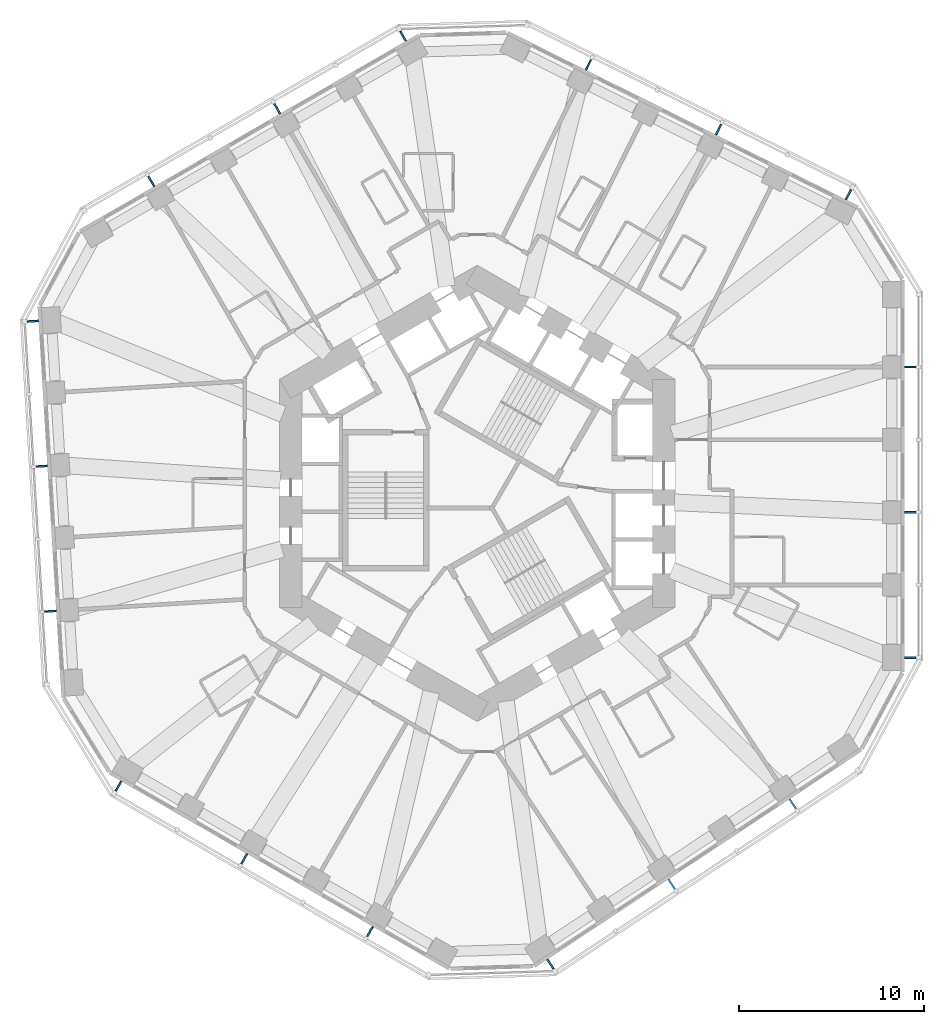
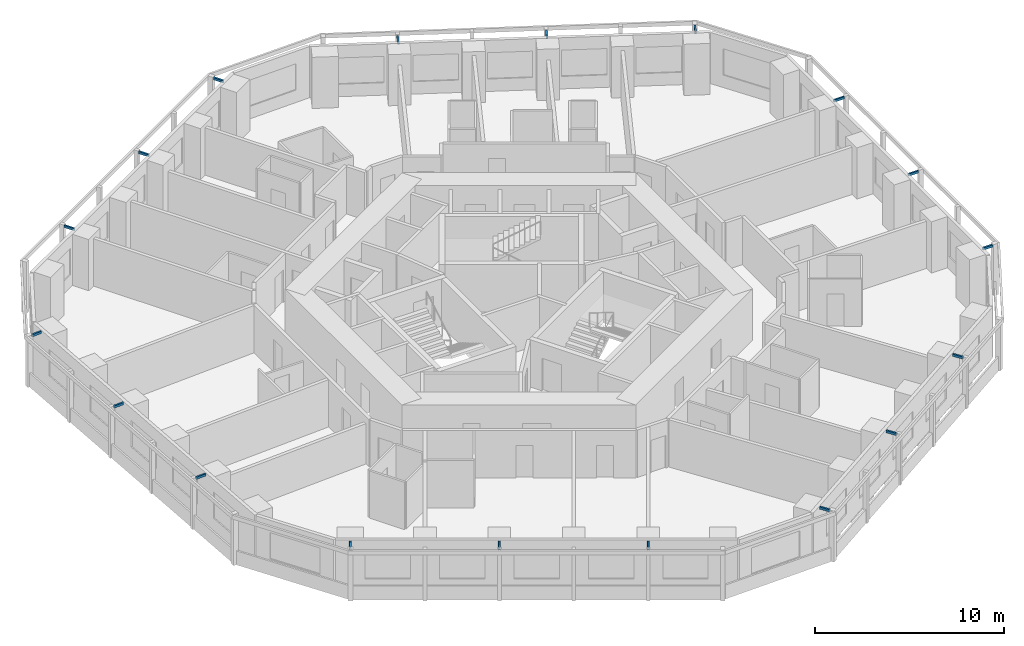
# One storey, part 11 of 12: 18 discrete accessories.
"""IFC4 building model written with IfcOpenShell, lengths in metres."""

import ifcopenshell
import ifcopenshell.guid

model = None  # the IFC model being written
_history = None  # IfcOwnerHistory: only IFC2X3 demands one
_inside = {}  # id of a spatial element -> (the spatial element, [elements in it])
_under = {}  # id of a project, library or spatial element -> (it, [spatial elements below it])
_declared = {}  # id of a project -> (the project, [libraries it declares])
_typed = {}  # id of a type object -> (the type object, [elements of that type])
_made_of = {}  # id of a material, layer set ... -> (it, [elements and type objects made of it])


def new_model(schema):
    """Start an empty IFC model of exactly this schema.

    Asked for "IFC4X3", IfcOpenShell would pick the latest addendum, in which some entities
    have other attributes; the version numbers below select the first issue.
    IFC2X3 requires an IfcOwnerHistory on every rooted entity: one is made here for all.
    """
    global model, _history
    if schema == "IFC4X3":
        model = ifcopenshell.file(schema_version=(4, 3, 0, 0))
    else:
        model = ifcopenshell.file(schema=schema)
    _inside.clear()
    _under.clear()
    _declared.clear()
    _typed.clear()
    _made_of.clear()
    _history = None
    if model.schema == "IFC2X3":
        org = make("IfcOrganization", Name="unknown")
        user = make(
            "IfcPersonAndOrganization",
            ThePerson=make("IfcPerson", FamilyName="unknown"),
            TheOrganization=org,
        )
        app = make(
            "IfcApplication",
            ApplicationDeveloper=org,
            Version="unknown",
            ApplicationFullName="unknown",
            ApplicationIdentifier="unknown",
        )
        _history = make(
            "IfcOwnerHistory",
            OwningUser=user,
            OwningApplication=app,
            ChangeAction="ADDED",
            CreationDate=0,
        )
    return model


def make(cls, **values):
    """One entity of the class cls with the attributes given. An attribute that is None is left unset."""
    return model.create_entity(
        cls, **{name: value for name, value in values.items() if value is not None}
    )


def rooted(cls, **values):
    """An entity with a GlobalId (a new one), such as an element, a storey or a relation."""
    return make(cls, GlobalId=ifcopenshell.guid.new(), OwnerHistory=_history, **values)


def si_unit(unit_type, name, prefix=None):
    """IfcSIUnit, for example si_unit("LENGTHUNIT", "METRE", prefix="MILLI")."""
    return make("IfcSIUnit", UnitType=unit_type, Prefix=prefix, Name=name)


def assignment(units):
    """IfcUnitAssignment: the units of a project."""
    return None if units is None else make("IfcUnitAssignment", Units=units)


def point(xyz):
    """IfcCartesianPoint."""
    return None if xyz is None else make("IfcCartesianPoint", Coordinates=xyz)


def direction(xyz):
    """IfcDirection."""
    return None if xyz is None else make("IfcDirection", DirectionRatios=xyz)


def frame(location, z_axis=None, x_axis=None):
    """IfcAxis2Placement3D, a coordinate frame: its origin and axes. An axis left out is left unset."""
    return make(
        "IfcAxis2Placement3D",
        Location=point(location),
        Axis=direction(z_axis),
        RefDirection=direction(x_axis),
    )


def frame_2d(location, x_axis=None):
    """IfcAxis2Placement2D, a coordinate frame in the plane: its origin and x axis."""
    return make(
        "IfcAxis2Placement2D", Location=point(location), RefDirection=direction(x_axis)
    )


def origin():
    """The frame at (0, 0, 0) with its axes left unset."""
    return frame((0.0, 0.0, 0.0))


def origin_2d():
    """The frame at (0, 0) in the plane with its x axis left unset."""
    return frame_2d((0.0, 0.0))


def place(relative_to, where):
    """IfcLocalPlacement: puts the frame where relative to a parent placement (None: the world)."""
    return make(
        "IfcLocalPlacement", PlacementRelTo=relative_to, RelativePlacement=where
    )


def context(
    kind, dimensions, precision=None, world=None, true_north=None, identifier=None
):
    """IfcGeometricRepresentationContext, for example the 3D "Model" context."""
    return make(
        "IfcGeometricRepresentationContext",
        ContextIdentifier=identifier,
        ContextType=kind,
        CoordinateSpaceDimension=dimensions,
        Precision=precision,
        WorldCoordinateSystem=world,
        TrueNorth=true_north,
    )


def subcontext(parent, identifier, kind, view, scale=None):
    """IfcGeometricRepresentationSubContext, for example "Body" below "Model"."""
    return make(
        "IfcGeometricRepresentationSubContext",
        ContextIdentifier=identifier,
        ContextType=kind,
        ParentContext=parent,
        TargetScale=scale,
        TargetView=view,
    )


def project(units=None, contexts=None):
    """IfcProject with its units and contexts."""
    return rooted(
        "IfcProject",
        Name="project",
        RepresentationContexts=contexts,
        UnitsInContext=assignment(units),
    )


def spatial(cls, under=None, at=None, **own):
    """A site, building, storey or space (cls), placed at a placement, below another one or the project."""
    s = rooted(cls, ObjectPlacement=at, **own)
    if under is not None:
        _under.setdefault(under.id(), (under, []))[1].append(s)
    return s


def profile(cls, at=None, kind="AREA", **sizes):
    """A parametric profile (cls). Its sizes go by their IFC names, for example OverallWidth=200.0."""
    return make(cls, ProfileType=kind, Position=at, **sizes)


def rectangle(**sizes):
    """IfcRectangleProfileDef."""
    return profile("IfcRectangleProfileDef", **sizes)


def extrude(swept, where, along, depth):
    """IfcExtrudedAreaSolid: the profile swept, set in the frame where, extruded along a direction by depth."""
    return make(
        "IfcExtrudedAreaSolid",
        SweptArea=swept,
        Position=where,
        ExtrudedDirection=direction(along),
        Depth=depth,
    )


def shape(context_of_items, identifier, shape_type, items):
    """IfcShapeRepresentation: the items that make up one representation, for example the "Body"."""
    return make(
        "IfcShapeRepresentation",
        ContextOfItems=context_of_items,
        RepresentationIdentifier=identifier,
        RepresentationType=shape_type,
        Items=items,
    )


def material(Name=None, Category=None):
    """IfcMaterial."""
    return make("IfcMaterial", Name=Name, Category=Category)


def made_of(thing, what):
    """Note that an element or type object is made of a material, layer set ...; save() writes the relation."""
    if what is not None:
        _made_of.setdefault(what.id(), (what, []))[1].append(thing)
    return thing


def type_object(cls, material=None, **own):
    """A type object (cls), such as IfcWallType, which elements share."""
    return made_of(rooted(cls, **own), material)


def element(
    cls,
    number,
    at=None,
    inside=None,
    cuts=None,
    type_object=None,
    material=None,
    context=None,
    identifier="Body",
    shape_type=None,
    held_by="IfcProductDefinitionShape",
    body=None,
    shapes=None,
    **own,
):
    """One element of the class cls, such as IfcWall. Its Tag is "e" and its number.

    at: its placement. inside: the storey or other place that contains it. cuts: it is an
    opening in that element (IfcRelVoidsElement). A single representation is given by context,
    identifier, shape_type and body (its items); several are given by shapes. held_by: the class
    of the entity that holds the representations. save() writes the other relations.
    """
    e = rooted(cls, Tag="e%d" % number, ObjectPlacement=at, **own)
    if body is not None:
        shapes = [shape(context, identifier, shape_type, body)]
    if shapes is not None:
        e.Representation = make(held_by, Representations=shapes)
    if inside is not None:
        _inside.setdefault(inside.id(), (inside, []))[1].append(e)
    if cuts is not None:
        rooted(
            "IfcRelVoidsElement", RelatingBuildingElement=cuts, RelatedOpeningElement=e
        )
    if type_object is not None:
        _typed.setdefault(type_object.id(), (type_object, []))[1].append(e)
    return made_of(e, material)


def aggregate(whole, parts):
    """IfcRelAggregates: a whole, such as a stair, and the parts it consists of."""
    return rooted("IfcRelAggregates", RelatingObject=whole, RelatedObjects=parts)


def save(model, path):
    """Write the relations noted so far, then the file.

    IfcRelAggregates (storeys below a building ...), IfcRelContainedInSpatialStructure (elements
    in a storey), IfcRelDefinesByType, IfcRelAssociatesMaterial and IfcRelDeclares: one each for
    every whole, place, type object, material and project.
    """
    for whole, parts in _under.values():
        aggregate(whole, parts)
    for where, things in _inside.values():
        rooted(
            "IfcRelContainedInSpatialStructure",
            RelatedElements=things,
            RelatingStructure=where,
        )
    for kind, things in _typed.values():
        rooted("IfcRelDefinesByType", RelatedObjects=things, RelatingType=kind)
    for what, things in _made_of.values():
        rooted("IfcRelAssociatesMaterial", RelatedObjects=things, RelatingMaterial=what)
    for by, libraries in _declared.values():
        rooted("IfcRelDeclares", RelatingContext=by, RelatedDefinitions=libraries)
    model.write(path)


model = new_model("IFC4")

# Units and contexts
model_context = context("Model", 3, precision=1e-05, world=origin(), true_north=direction((0.0, 1.0)))
body_context = subcontext(model_context, "Body", "Model", "MODEL_VIEW")
ifc_project = project(units=[si_unit("LENGTHUNIT", "METRE"), si_unit("AREAUNIT", "SQUARE_METRE"), si_unit("VOLUMEUNIT", "CUBIC_METRE"), si_unit("PLANEANGLEUNIT", "RADIAN"), si_unit("MASSUNIT", "GRAM", prefix="KILO")], contexts=[model_context])

# Site, building, storey
site_placement = place(None, origin())
site = spatial("IfcSite", under=ifc_project, at=site_placement, CompositionType="ELEMENT")
building_placement = place(site_placement, origin())
building = spatial("IfcBuilding", under=site, at=building_placement, Name="Vanh Sen Convention Tower", CompositionType="ELEMENT")
storey_placement = place(building_placement, frame((0.0, 0.0, 63.800048828125)))
storey = spatial("IfcBuildingStorey", under=building, at=storey_placement, Name="L13", CompositionType="ELEMENT", Elevation=63.800048828125)

# Discrete accessories
ifc_material = material(Name="Steel S355", Category="steel")
discrete_accessory_type = type_object("IfcDiscreteAccessoryType", Name="Fin bracket 100 x 150", PredefinedType="BRACKET", material=ifc_material)
discrete_accessory_1_placement = place(storey_placement, frame((23.449951171875, -8.899169921875, 3.10009765625), z_axis=(0.0, 0.0, 1.0), x_axis=(1.0, 0.0, 0.0)))
element("IfcDiscreteAccessory", 1, at=discrete_accessory_1_placement, inside=storey, type_object=discrete_accessory_type, Name="Fin bracket E-1 L13", PredefinedType="BRACKET", context=body_context, shape_type="SweptSolid", body=[
    extrude(rectangle(XDim=0.60009765625, YDim=0.10009765625, at=origin_2d()), origin(), (0.0, 0.0, 1.0), 0.14990234375),
])
for number, where, z_axis, x_axis, name in (
    (2, (23.46240234375, -1.030029296875, 3.10009765625), (0.0, 0.0, 1.0), (1.0, 0.0, 0.0), "Fin bracket E-3 L13"),
    (3, (23.46240234375, 6.839111328125, 3.10009765625), (0.0, 0.0, 1.0), (1.0, 0.0, 0.0), "Fin bracket E-5 L13"),
):
    element("IfcDiscreteAccessory", number, at=place(storey_placement, frame(where, z_axis=z_axis, x_axis=x_axis)), inside=storey, type_object=discrete_accessory_type, Name=name, PredefinedType="BRACKET", context=body_context, shape_type="SweptSolid", body=[
        extrude(rectangle(XDim=0.625, YDim=0.10009765625, at=origin_2d()), origin(), (0.0, 0.0, 1.0), 0.14990234375),
    ])
discrete_accessory_2_placement = place(storey_placement, frame((20.10498046875, 16.178955078125, 3.10009765625), z_axis=(0.0, 0.0, 1.0), x_axis=(0.44619781311, 0.894934361602, 0.0)))
element("IfcDiscreteAccessory", 4, at=discrete_accessory_2_placement, inside=storey, type_object=discrete_accessory_type, Name="Fin bracket NE-1 L13", PredefinedType="BRACKET", context=body_context, shape_type="SweptSolid", body=[
    extrude(rectangle(XDim=0.60009765625, YDim=0.10009765625, at=origin_2d()), origin(), (0.0, 0.0, 1.0), 0.14990234375),
])
for number, where, z_axis, x_axis, name in (
    (5, (13.068359375, 19.701416015625, 3.10009765625), (0.0, 0.0, 1.0), (0.44619781311, 0.894934361602, 0.0), "Fin bracket NE-3 L13"),
    (6, (6.02587890625, 23.212646484375, 3.10009765625), (0.0, 0.0, 1.0), (0.44619781311, 0.894934361602, 0.0), "Fin bracket NE-5 L13"),
):
    element("IfcDiscreteAccessory", number, at=place(storey_placement, frame(where, z_axis=z_axis, x_axis=x_axis)), inside=storey, type_object=discrete_accessory_type, Name=name, PredefinedType="BRACKET", context=body_context, shape_type="SweptSolid", body=[
        extrude(rectangle(XDim=0.625, YDim=0.10009765625, at=origin_2d()), origin(), (0.0, 0.0, 1.0), 0.14990234375),
    ])
discrete_accessory_3_placement = place(storey_placement, frame((-4.01806640625, 24.7578125, 3.10009765625), z_axis=(0.0, 0.0, 1.0), x_axis=(-0.5, 0.866025403784, 0.0)))
element("IfcDiscreteAccessory", 7, at=discrete_accessory_3_placement, inside=storey, type_object=discrete_accessory_type, Name="Fin bracket NW-1 L13", PredefinedType="BRACKET", context=body_context, shape_type="SweptSolid", body=[
    extrude(rectangle(XDim=0.60009765625, YDim=0.10009765625, at=origin_2d()), origin(), (0.0, 0.0, 1.0), 0.14990234375),
])
for number, where, z_axis, x_axis, name in (
    (8, (-10.839111328125, 20.834228515625, 3.10009765625), (0.0, 0.0, 1.0), (-0.5, 0.866025403784, 0.0), "Fin bracket NW-3 L13"),
    (9, (-17.654296875, 16.899658203125, 3.10009765625), (0.0, 0.0, 1.0), (-0.5, 0.866025403784, 0.0), "Fin bracket NW-5 L13"),
):
    element("IfcDiscreteAccessory", number, at=place(storey_placement, frame(where, z_axis=z_axis, x_axis=x_axis)), inside=storey, type_object=discrete_accessory_type, Name=name, PredefinedType="BRACKET", context=body_context, shape_type="SweptSolid", body=[
        extrude(rectangle(XDim=0.625, YDim=0.10009765625, at=origin_2d()), origin(), (0.0, 0.0, 1.0), 0.14990234375),
    ])
discrete_accessory_4_placement = place(storey_placement, frame((-24.06396484375, 9.322021484375, 3.10009765625), z_axis=(0.0, 0.0, 1.0), x_axis=(-0.998134798422, -0.061048539535, 0.0)))
element("IfcDiscreteAccessory", 10, at=discrete_accessory_4_placement, inside=storey, type_object=discrete_accessory_type, Name="Fin bracket W-1 L13", PredefinedType="BRACKET", context=body_context, shape_type="SweptSolid", body=[
    extrude(rectangle(XDim=0.60009765625, YDim=0.10009765625, at=origin_2d()), origin(), (0.0, 0.0, 1.0), 0.14990234375),
])
for number, where, z_axis, x_axis, name in (
    (11, (-23.595947265625, 1.466796875, 3.10009765625), (0.0, 0.0, 1.0), (-0.998134798422, -0.061048539535, 0.0), "Fin bracket W-3 L13"),
    (12, (-23.115478515625, -6.3876953125, 3.10009765625), (0.0, 0.0, 1.0), (-0.998134798422, -0.061048539535, 0.0), "Fin bracket W-5 L13"),
):
    element("IfcDiscreteAccessory", number, at=place(storey_placement, frame(where, z_axis=z_axis, x_axis=x_axis)), inside=storey, type_object=discrete_accessory_type, Name=name, PredefinedType="BRACKET", context=body_context, shape_type="SweptSolid", body=[
        extrude(rectangle(XDim=0.625, YDim=0.10009765625, at=origin_2d()), origin(), (0.0, 0.0, 1.0), 0.14990234375),
    ])
discrete_accessory_5_placement = place(storey_placement, frame((-19.431884765625, -15.858642578125, 3.10009765625), z_axis=(0.0, 0.0, 1.0), x_axis=(-0.5, -0.866025403784, 0.0)))
element("IfcDiscreteAccessory", 13, at=discrete_accessory_5_placement, inside=storey, type_object=discrete_accessory_type, Name="Fin bracket SW-1 L13", PredefinedType="BRACKET", context=body_context, shape_type="SweptSolid", body=[
    extrude(rectangle(XDim=0.60009765625, YDim=0.10009765625, at=origin_2d()), origin(), (0.0, 0.0, 1.0), 0.14990234375),
])
for number, where, z_axis, x_axis, name in (
    (14, (-12.623291015625, -19.80419921875, 3.10009765625), (0.0, 0.0, 1.0), (-0.5, -0.866025403784, 0.0), "Fin bracket SW-3 L13"),
    (15, (-5.808349609375, -23.73876953125, 3.10009765625), (0.0, 0.0, 1.0), (-0.5, -0.866025403784, 0.0), "Fin bracket SW-5 L13"),
):
    element("IfcDiscreteAccessory", number, at=place(storey_placement, frame(where, z_axis=z_axis, x_axis=x_axis)), inside=storey, type_object=discrete_accessory_type, Name=name, PredefinedType="BRACKET", context=body_context, shape_type="SweptSolid", body=[
        extrude(rectangle(XDim=0.625, YDim=0.10009765625, at=origin_2d()), origin(), (0.0, 0.0, 1.0), 0.14990234375),
    ])
discrete_accessory_6_placement = place(storey_placement, frame((3.958740234375, -25.5009765625, 3.10009765625), z_axis=(0.0, 0.0, 1.0), x_axis=(0.551936985312, -0.833885822067, 0.0)))
element("IfcDiscreteAccessory", 16, at=discrete_accessory_6_placement, inside=storey, type_object=discrete_accessory_type, Name="Fin bracket SE-1 L13", PredefinedType="BRACKET", context=body_context, shape_type="SweptSolid", body=[
    extrude(rectangle(XDim=0.60009765625, YDim=0.10009765625, at=origin_2d()), origin(), (0.0, 0.0, 1.0), 0.14990234375),
])
for number, where, z_axis, x_axis, name in (
    (17, (10.527587890625, -21.168212890625, 3.10009765625), (0.0, 0.0, 1.0), (0.551936985312, -0.833885822067, 0.0), "Fin bracket SE-3 L13"),
    (18, (17.089599609375, -16.824951171875, 3.10009765625), (0.0, 0.0, 1.0), (0.551936985312, -0.833885822067, 0.0), "Fin bracket SE-5 L13"),
):
    element("IfcDiscreteAccessory", number, at=place(storey_placement, frame(where, z_axis=z_axis, x_axis=x_axis)), inside=storey, type_object=discrete_accessory_type, Name=name, PredefinedType="BRACKET", context=body_context, shape_type="SweptSolid", body=[
        extrude(rectangle(XDim=0.625, YDim=0.10009765625, at=origin_2d()), origin(), (0.0, 0.0, 1.0), 0.14990234375),
    ])

save(model, "model.ifc")
